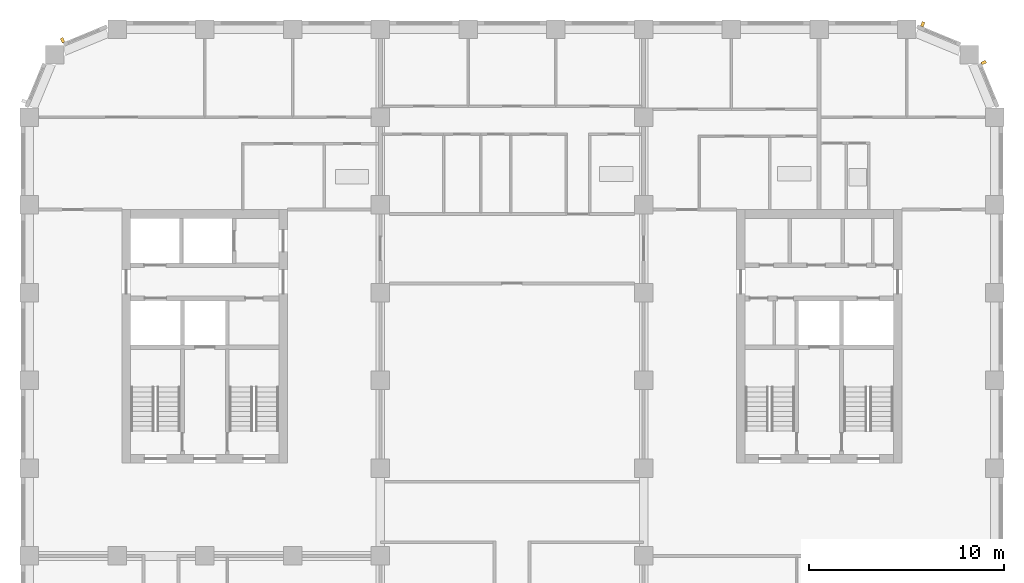
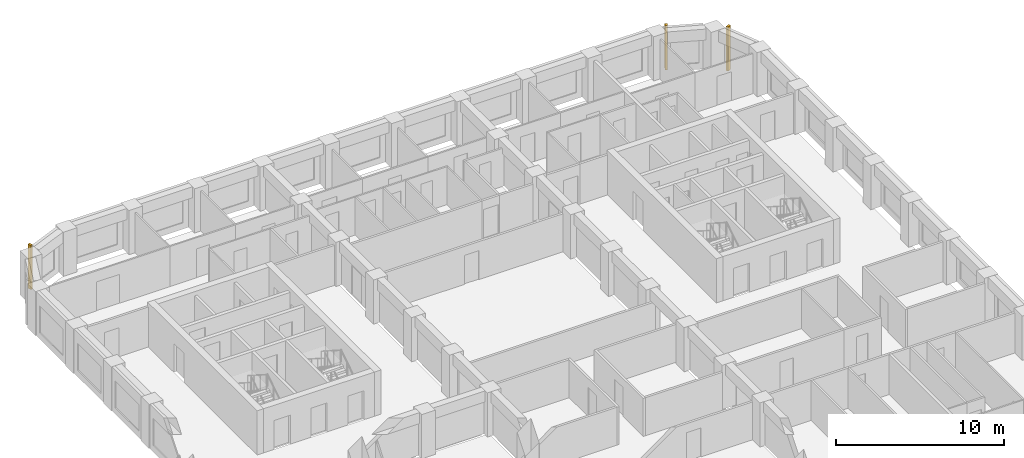
# One storey, part 12 of 13: 3 shading devices.
"""IFC4 building model written with IfcOpenShell, lengths in metres."""

from ifc_helpers import new_model, si_unit, direction, frame, origin, origin_2d, place, context, subcontext, project, spatial, rectangle, extrude, material, type_object, element, save


model = new_model("IFC4")

# Units and contexts
model_context = context("Model", 3, precision=1e-05, world=origin(), true_north=direction((0.0, 1.0)))
body_context = subcontext(model_context, "Body", "Model", "MODEL_VIEW")
ifc_project = project(units=[si_unit("LENGTHUNIT", "METRE"), si_unit("AREAUNIT", "SQUARE_METRE"), si_unit("VOLUMEUNIT", "CUBIC_METRE"), si_unit("PLANEANGLEUNIT", "RADIAN"), si_unit("MASSUNIT", "GRAM", prefix="KILO")], contexts=[model_context])

# Site, building, storey
site_placement = place(None, origin())
site = spatial("IfcSite", under=ifc_project, at=site_placement, CompositionType="ELEMENT")
building_placement = place(site_placement, origin())
building = spatial("IfcBuilding", under=site, at=building_placement, Name="Girih Gate Residences", CompositionType="ELEMENT")
storey_placement = place(building_placement, frame((0.0, 0.0, 136.60009765625)))
storey = spatial("IfcBuildingStorey", under=building, at=storey_placement, Name="L38", CompositionType="ELEMENT", Elevation=136.60009765625)

# Shading devices
ifc_material = material(Name="Precast concrete C50/60", Category="concrete")
shading_device_type = type_object("IfcShadingDeviceType", Name="Corner rib 150x250", PredefinedType="USERDEFINED", material=ifc_material)
for number, where, z_axis, x_axis, name in (
    (1, (48.937744140625, 47.794677734375, 0.0), (0.0, 0.0, 1.0), (-0.382683432365, 0.923879532511, 0.0), "Corner rib NE0495_0450.0"),
    (2, (45.808349609375, 49.760498046875, 0.0), (0.0, 0.0, 1.0), (-0.923879532511, 0.382683432365, 0.0), "Corner rib NE0482_0482.0"),
    (3, (1.705322265625, 48.937744140625, 0.0), (0.0, 0.0, 1.0), (-0.923879532511, -0.382683432365, 0.0), "Corner rib NW0045_0495.0"),
):
    element("IfcShadingDevice", number, at=place(storey_placement, frame(where, z_axis=z_axis, x_axis=x_axis)), inside=storey, type_object=shading_device_type, Name=name, ObjectType="FIN", PredefinedType="USERDEFINED", context=body_context, shape_type="SweptSolid", body=[
        extrude(rectangle(XDim=0.14990234375, YDim=0.25, at=origin_2d()), origin(), (0.0, 0.0, 1.0), 3.199951171875),
    ])

save(model, "model.ifc")
